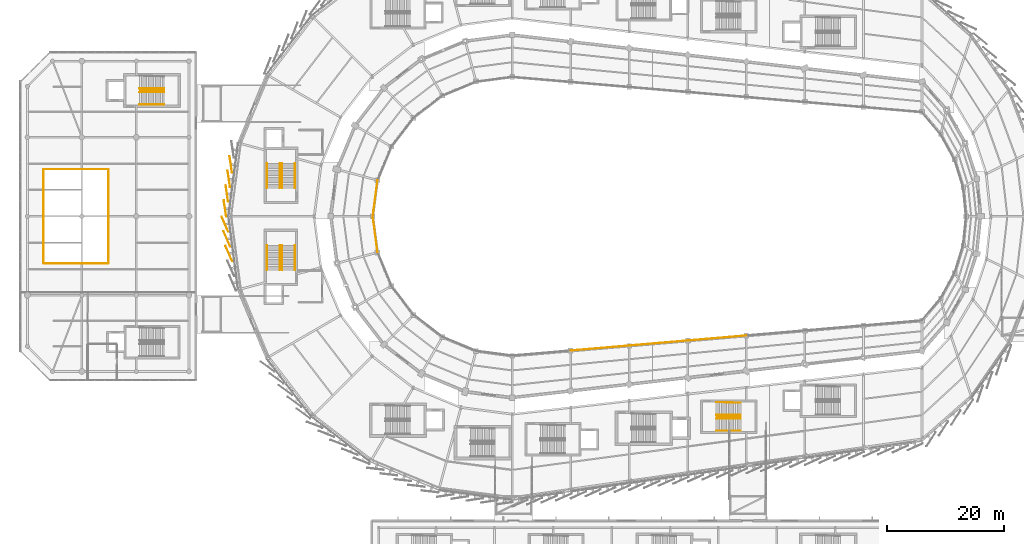
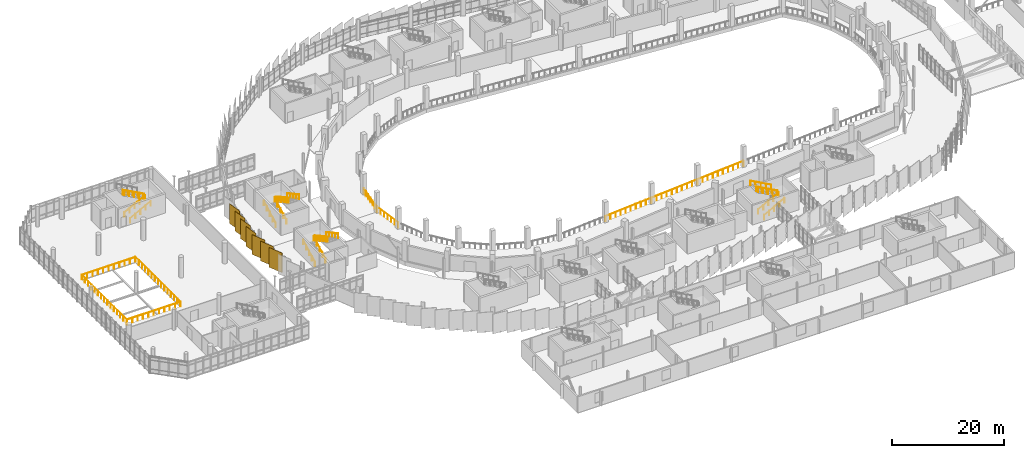
# One storey, part 118 of 125: 28 railings, 7 coverings.
"""IFC4 building model written with IfcOpenShell, lengths in metres."""

from ifc_helpers import new_model, si_unit, direction, frame, origin, origin_2d, place, context, subcontext, project, spatial, rectangle, circle, extrude, material, layer, layer_set, type_object, element, save


model = new_model("IFC4")

# Units and contexts
model_context = context("Model", 3, precision=1e-05, world=origin(), true_north=direction((0.0, 1.0)))
body_context = subcontext(model_context, "Body", "Model", "MODEL_VIEW")
ifc_project = project(units=[si_unit("LENGTHUNIT", "METRE"), si_unit("AREAUNIT", "SQUARE_METRE"), si_unit("VOLUMEUNIT", "CUBIC_METRE"), si_unit("PLANEANGLEUNIT", "RADIAN"), si_unit("MASSUNIT", "GRAM", prefix="KILO")], contexts=[model_context])

# Site, building, storey
site_placement = place(None, origin())
site = spatial("IfcSite", under=ifc_project, at=site_placement, CompositionType="ELEMENT")
building_placement = place(site_placement, origin())
building = spatial("IfcBuilding", under=site, at=building_placement, Name="Sohan Crest Arena", CompositionType="ELEMENT")
storey_placement = place(building_placement, frame((0.0, 0.0, 9.0)))
storey = spatial("IfcBuildingStorey", under=building, at=storey_placement, Name="L02", CompositionType="ELEMENT", Elevation=9.0)

# Railings
ifc_material_1 = material(Name="Powder-coated wrought steel balustrade", Category="steel")
railing_type_1 = type_object("IfcRailingType", Name="ARC-GRD-01", PredefinedType="GUARDRAIL", material=ifc_material_1)
for number, where, name in (
    (1, (58.5, 73.030029296875, 2.25), "Stair well slot guard GRD-004"),
    (2, (58.5, 87.030029296875, 2.25), "Stair well slot guard GRD-011"),
):
    element("IfcRailing", number, at=place(storey_placement, frame(where)), inside=storey, type_object=railing_type_1, Name=name, PredefinedType="GUARDRAIL", context=body_context, shape_type="SweptSolid", body=[
        extrude(circle(Radius=0.02392578125, at=origin_2d()), frame((0.0, 0.0, 1.076171875), z_axis=(0.0, -0.87313487534, 0.487478706678), x_axis=(1.0, 0.0, 0.0)), (0.0, 0.0, 1.0), 4.615478515625),
        extrude(circle(Radius=0.02099609375, at=origin_2d()), origin(), (0.0, 0.0, 1.0), 1.052001953125),
        extrude(circle(Radius=0.02099609375, at=origin_2d()), frame((0.0, -1.007568359375, 0.5625)), (0.0, 0.0, 1.0), 1.052001953125),
        extrude(circle(Radius=0.02099609375, at=origin_2d()), frame((0.0, -2.01513671875, 1.125)), (0.0, 0.0, 1.0), 1.052001953125),
        extrude(circle(Radius=0.02099609375, at=origin_2d()), frame((0.0, -3.0224609375, 1.6875)), (0.0, 0.0, 1.0), 1.052001953125),
        extrude(circle(Radius=0.02099609375, at=origin_2d()), frame((0.0, -4.030029296875, 2.25)), (0.0, 0.0, 1.0), 1.052001953125),
    ])
for number, where, name in (
    (3, (38.530029296875, 99.5, 2.25), "Stair well slot guard GRD-077"),
    (4, (137.030029296875, 43.75, 2.25), "Stair well slot guard GRD-114"),
):
    element("IfcRailing", number, at=place(storey_placement, frame(where)), inside=storey, type_object=railing_type_1, Name=name, PredefinedType="GUARDRAIL", context=body_context, shape_type="SweptSolid", body=[
        extrude(circle(Radius=0.02392578125, at=origin_2d()), frame((0.0, 0.0, 1.076171875), z_axis=(-0.87313487534, 0.0, 0.487478706678), x_axis=(0.0, -1.0, 0.0)), (0.0, 0.0, 1.0), 4.615478515625),
        extrude(circle(Radius=0.02099609375, at=origin_2d()), origin(), (0.0, 0.0, 1.0), 1.052001953125),
        extrude(circle(Radius=0.02099609375, at=origin_2d()), frame((-1.007568359375, 0.0, 0.5625)), (0.0, 0.0, 1.0), 1.052001953125),
        extrude(circle(Radius=0.02099609375, at=origin_2d()), frame((-2.01513671875, 0.0, 1.125)), (0.0, 0.0, 1.0), 1.052001953125),
        extrude(circle(Radius=0.02099609375, at=origin_2d()), frame((-3.0224609375, 0.0, 1.6875)), (0.0, 0.0, 1.0), 1.052001953125),
        extrude(circle(Radius=0.02099609375, at=origin_2d()), frame((-4.030029296875, 0.0, 2.25)), (0.0, 0.0, 1.0), 1.052001953125),
    ])
railing_1_placement = place(storey_placement, frame((17.989990234375, 69.949951171875, 0.0)))
element("IfcRailing", 5, at=railing_1_placement, inside=storey, type_object=railing_type_1, Name="Foyer atrium balustrade GRD-290", PredefinedType="GUARDRAIL", context=body_context, shape_type="SweptSolid", body=[
    extrude(circle(Radius=0.02392578125, at=origin_2d()), frame((0.0, 0.0, 1.076171875), z_axis=(1.0, 0.0, 0.0), x_axis=(0.0, 1.0, 0.0)), (0.0, 0.0, 1.0), 11.02001953125),
    extrude(circle(Radius=0.02099609375, at=origin_2d()), origin(), (0.0, 0.0, 1.0), 1.052001953125),
    extrude(circle(Radius=0.02099609375, at=origin_2d()), frame((1.10205078125, 0.0, 0.0)), (0.0, 0.0, 1.0), 1.052001953125),
    extrude(circle(Radius=0.02099609375, at=origin_2d()), frame((2.2041015625, 0.0, 0.0)), (0.0, 0.0, 1.0), 1.052001953125),
    extrude(circle(Radius=0.02099609375, at=origin_2d()), frame((3.305908203125, 0.0, 0.0)), (0.0, 0.0, 1.0), 1.052001953125),
    extrude(circle(Radius=0.02099609375, at=origin_2d()), frame((4.407958984375, 0.0, 0.0)), (0.0, 0.0, 1.0), 1.052001953125),
    extrude(circle(Radius=0.02099609375, at=origin_2d()), frame((5.510009765625, 0.0, 0.0)), (0.0, 0.0, 1.0), 1.052001953125),
    extrude(circle(Radius=0.02099609375, at=origin_2d()), frame((6.612060546875, 0.0, 0.0)), (0.0, 0.0, 1.0), 1.052001953125),
    extrude(circle(Radius=0.02099609375, at=origin_2d()), frame((7.714111328125, 0.0, 0.0)), (0.0, 0.0, 1.0), 1.052001953125),
    extrude(circle(Radius=0.02099609375, at=origin_2d()), frame((8.81591796875, 0.0, 0.0)), (0.0, 0.0, 1.0), 1.052001953125),
    extrude(circle(Radius=0.02099609375, at=origin_2d()), frame((9.91796875, 0.0, 0.0)), (0.0, 0.0, 1.0), 1.052001953125),
    extrude(circle(Radius=0.02099609375, at=origin_2d()), frame((11.02001953125, 0.0, 0.0)), (0.0, 0.0, 1.0), 1.052001953125),
])
railing_2_placement = place(storey_placement, frame((29.050048828125, 69.989990234375, 0.0)))
element("IfcRailing", 6, at=railing_2_placement, inside=storey, type_object=railing_type_1, Name="Foyer atrium balustrade GRD-291", PredefinedType="GUARDRAIL", context=body_context, shape_type="SweptSolid", body=[
    extrude(circle(Radius=0.02392578125, at=origin_2d()), frame((0.0, 0.0, 1.076171875), z_axis=(0.0, 1.0, 0.0), x_axis=(-1.0, 0.0, 0.0)), (0.0, 0.0, 1.0), 16.02001953125),
    extrude(circle(Radius=0.02099609375, at=origin_2d()), origin(), (0.0, 0.0, 1.0), 1.052001953125),
    extrude(circle(Radius=0.02099609375, at=origin_2d()), frame((0.0, 1.144287109375, 0.0)), (0.0, 0.0, 1.0), 1.052001953125),
    extrude(circle(Radius=0.02099609375, at=origin_2d()), frame((0.0, 2.28857421875, 0.0)), (0.0, 0.0, 1.0), 1.052001953125),
    extrude(circle(Radius=0.02099609375, at=origin_2d()), frame((0.0, 3.432861328125, 0.0)), (0.0, 0.0, 1.0), 1.052001953125),
    extrude(circle(Radius=0.02099609375, at=origin_2d()), frame((0.0, 4.5771484375, 0.0)), (0.0, 0.0, 1.0), 1.052001953125),
    extrude(circle(Radius=0.02099609375, at=origin_2d()), frame((0.0, 5.721435546875, 0.0)), (0.0, 0.0, 1.0), 1.052001953125),
    extrude(circle(Radius=0.02099609375, at=origin_2d()), frame((0.0, 6.86572265625, 0.0)), (0.0, 0.0, 1.0), 1.052001953125),
    extrude(circle(Radius=0.02099609375, at=origin_2d()), frame((0.0, 8.010009765625, 0.0)), (0.0, 0.0, 1.0), 1.052001953125),
    extrude(circle(Radius=0.02099609375, at=origin_2d()), frame((0.0, 9.154296875, 0.0)), (0.0, 0.0, 1.0), 1.052001953125),
    extrude(circle(Radius=0.02099609375, at=origin_2d()), frame((0.0, 10.298583984375, 0.0)), (0.0, 0.0, 1.0), 1.052001953125),
    extrude(circle(Radius=0.02099609375, at=origin_2d()), frame((0.0, 11.44287109375, 0.0)), (0.0, 0.0, 1.0), 1.052001953125),
    extrude(circle(Radius=0.02099609375, at=origin_2d()), frame((0.0, 12.587158203125, 0.0)), (0.0, 0.0, 1.0), 1.052001953125),
    extrude(circle(Radius=0.02099609375, at=origin_2d()), frame((0.0, 13.7314453125, 0.0)), (0.0, 0.0, 1.0), 1.052001953125),
    extrude(circle(Radius=0.02099609375, at=origin_2d()), frame((0.0, 14.875732421875, 0.0)), (0.0, 0.0, 1.0), 1.052001953125),
    extrude(circle(Radius=0.02099609375, at=origin_2d()), frame((0.0, 16.02001953125, 0.0)), (0.0, 0.0, 1.0), 1.052001953125),
])
railing_3_placement = place(storey_placement, frame((29.010009765625, 86.050048828125, 0.0)))
element("IfcRailing", 7, at=railing_3_placement, inside=storey, type_object=railing_type_1, Name="Foyer atrium balustrade GRD-292", PredefinedType="GUARDRAIL", context=body_context, shape_type="SweptSolid", body=[
    extrude(circle(Radius=0.02392578125, at=origin_2d()), frame((0.0, 0.0, 1.076171875), z_axis=(-1.0, 0.0, 0.0), x_axis=(0.0, -1.0, 0.0)), (0.0, 0.0, 1.0), 11.02001953125),
    extrude(circle(Radius=0.02099609375, at=origin_2d()), origin(), (0.0, 0.0, 1.0), 1.052001953125),
    extrude(circle(Radius=0.02099609375, at=origin_2d()), frame((-1.10205078125, 0.0, 0.0)), (0.0, 0.0, 1.0), 1.052001953125),
    extrude(circle(Radius=0.02099609375, at=origin_2d()), frame((-2.2041015625, 0.0, 0.0)), (0.0, 0.0, 1.0), 1.052001953125),
    extrude(circle(Radius=0.02099609375, at=origin_2d()), frame((-3.305908203125, 0.0, 0.0)), (0.0, 0.0, 1.0), 1.052001953125),
    extrude(circle(Radius=0.02099609375, at=origin_2d()), frame((-4.407958984375, 0.0, 0.0)), (0.0, 0.0, 1.0), 1.052001953125),
    extrude(circle(Radius=0.02099609375, at=origin_2d()), frame((-5.510009765625, 0.0, 0.0)), (0.0, 0.0, 1.0), 1.052001953125),
    extrude(circle(Radius=0.02099609375, at=origin_2d()), frame((-6.612060546875, 0.0, 0.0)), (0.0, 0.0, 1.0), 1.052001953125),
    extrude(circle(Radius=0.02099609375, at=origin_2d()), frame((-7.714111328125, 0.0, 0.0)), (0.0, 0.0, 1.0), 1.052001953125),
    extrude(circle(Radius=0.02099609375, at=origin_2d()), frame((-8.81591796875, 0.0, 0.0)), (0.0, 0.0, 1.0), 1.052001953125),
    extrude(circle(Radius=0.02099609375, at=origin_2d()), frame((-9.91796875, 0.0, 0.0)), (0.0, 0.0, 1.0), 1.052001953125),
    extrude(circle(Radius=0.02099609375, at=origin_2d()), frame((-11.02001953125, 0.0, 0.0)), (0.0, 0.0, 1.0), 1.052001953125),
])
railing_4_placement = place(storey_placement, frame((17.949951171875, 86.010009765625, 0.0)))
element("IfcRailing", 8, at=railing_4_placement, inside=storey, type_object=railing_type_1, Name="Foyer atrium balustrade GRD-293", PredefinedType="GUARDRAIL", context=body_context, shape_type="SweptSolid", body=[
    extrude(circle(Radius=0.02392578125, at=origin_2d()), frame((0.0, 0.0, 1.076171875), z_axis=(0.0, -1.0, 0.0), x_axis=(1.0, 0.0, 0.0)), (0.0, 0.0, 1.0), 16.02001953125),
    extrude(circle(Radius=0.02099609375, at=origin_2d()), origin(), (0.0, 0.0, 1.0), 1.052001953125),
    extrude(circle(Radius=0.02099609375, at=origin_2d()), frame((0.0, -1.144287109375, 0.0)), (0.0, 0.0, 1.0), 1.052001953125),
    extrude(circle(Radius=0.02099609375, at=origin_2d()), frame((0.0, -2.28857421875, 0.0)), (0.0, 0.0, 1.0), 1.052001953125),
    extrude(circle(Radius=0.02099609375, at=origin_2d()), frame((0.0, -3.432861328125, 0.0)), (0.0, 0.0, 1.0), 1.052001953125),
    extrude(circle(Radius=0.02099609375, at=origin_2d()), frame((0.0, -4.5771484375, 0.0)), (0.0, 0.0, 1.0), 1.052001953125),
    extrude(circle(Radius=0.02099609375, at=origin_2d()), frame((0.0, -5.721435546875, 0.0)), (0.0, 0.0, 1.0), 1.052001953125),
    extrude(circle(Radius=0.02099609375, at=origin_2d()), frame((0.0, -6.86572265625, 0.0)), (0.0, 0.0, 1.0), 1.052001953125),
    extrude(circle(Radius=0.02099609375, at=origin_2d()), frame((0.0, -8.010009765625, 0.0)), (0.0, 0.0, 1.0), 1.052001953125),
    extrude(circle(Radius=0.02099609375, at=origin_2d()), frame((0.0, -9.154296875, 0.0)), (0.0, 0.0, 1.0), 1.052001953125),
    extrude(circle(Radius=0.02099609375, at=origin_2d()), frame((0.0, -10.298583984375, 0.0)), (0.0, 0.0, 1.0), 1.052001953125),
    extrude(circle(Radius=0.02099609375, at=origin_2d()), frame((0.0, -11.44287109375, 0.0)), (0.0, 0.0, 1.0), 1.052001953125),
    extrude(circle(Radius=0.02099609375, at=origin_2d()), frame((0.0, -12.587158203125, 0.0)), (0.0, 0.0, 1.0), 1.052001953125),
    extrude(circle(Radius=0.02099609375, at=origin_2d()), frame((0.0, -13.7314453125, 0.0)), (0.0, 0.0, 1.0), 1.052001953125),
    extrude(circle(Radius=0.02099609375, at=origin_2d()), frame((0.0, -14.875732421875, 0.0)), (0.0, 0.0, 1.0), 1.052001953125),
    extrude(circle(Radius=0.02099609375, at=origin_2d()), frame((0.0, -16.02001953125, 0.0)), (0.0, 0.0, 1.0), 1.052001953125),
])
ifc_material_2 = material(Name="Laminated glass and steel sightline guard", Category="steel")
railing_type_2 = type_object("IfcRailingType", Name="ARC-GRD-02", PredefinedType="GUARDRAIL", material=ifc_material_2)
railing_5_placement = place(storey_placement, frame((75.006103515625, 84.1201171875, 0.0)))
element("IfcRailing", 9, at=railing_5_placement, inside=storey, type_object=railing_type_2, Name="Bowl gallery edge guard GRD-223", PredefinedType="GUARDRAIL", context=body_context, shape_type="SweptSolid", body=[
    extrude(circle(Radius=0.02392578125, at=origin_2d()), frame((0.0, 0.0, 1.1259765625), z_axis=(-0.130617220384, -0.991432873037, 0.0), x_axis=(0.991432873037, -0.130617220384, 0.0)), (0.0, 0.0, 1.0), 6.132568359375),
    extrude(circle(Radius=0.02099609375, at=origin_2d()), origin(), (0.0, 0.0, 1.0), 1.101806640625),
    extrude(circle(Radius=0.02099609375, at=origin_2d()), frame((-0.133544921875, -1.013427734375, 0.0)), (0.0, 0.0, 1.0), 1.101806640625),
    extrude(circle(Radius=0.02099609375, at=origin_2d()), frame((-0.26708984375, -2.026611328125, 0.0)), (0.0, 0.0, 1.0), 1.101806640625),
    extrude(circle(Radius=0.02099609375, at=origin_2d()), frame((-0.400390625, -3.0400390625, 0.0)), (0.0, 0.0, 1.0), 1.101806640625),
    extrude(circle(Radius=0.02099609375, at=origin_2d()), frame((-0.533935546875, -4.053466796875, 0.0)), (0.0, 0.0, 1.0), 1.101806640625),
    extrude(circle(Radius=0.02099609375, at=origin_2d()), frame((-0.66748046875, -5.066650390625, 0.0)), (0.0, 0.0, 1.0), 1.101806640625),
    extrude(circle(Radius=0.02099609375, at=origin_2d()), frame((-0.801025390625, -6.080078125, 0.0)), (0.0, 0.0, 1.0), 1.101806640625),
])
railing_6_placement = place(storey_placement, frame((74.205078125, 77.9599609375, 0.0)))
element("IfcRailing", 10, at=railing_6_placement, inside=storey, type_object=railing_type_2, Name="Bowl gallery edge guard GRD-224", PredefinedType="GUARDRAIL", context=body_context, shape_type="SweptSolid", body=[
    extrude(circle(Radius=0.02392578125, at=origin_2d()), frame((0.0, 0.0, 1.1259765625), z_axis=(0.130617220384, -0.991432873037, 0.0), x_axis=(0.991432873037, 0.130617220384, 0.0)), (0.0, 0.0, 1.0), 6.132568359375),
    extrude(circle(Radius=0.02099609375, at=origin_2d()), origin(), (0.0, 0.0, 1.0), 1.101806640625),
    extrude(circle(Radius=0.02099609375, at=origin_2d()), frame((0.133544921875, -1.013427734375, 0.0)), (0.0, 0.0, 1.0), 1.101806640625),
    extrude(circle(Radius=0.02099609375, at=origin_2d()), frame((0.26708984375, -2.026611328125, 0.0)), (0.0, 0.0, 1.0), 1.101806640625),
    extrude(circle(Radius=0.02099609375, at=origin_2d()), frame((0.400390625, -3.0400390625, 0.0)), (0.0, 0.0, 1.0), 1.101806640625),
    extrude(circle(Radius=0.02099609375, at=origin_2d()), frame((0.533935546875, -4.053466796875, 0.0)), (0.0, 0.0, 1.0), 1.101806640625),
    extrude(circle(Radius=0.02099609375, at=origin_2d()), frame((0.66748046875, -5.066650390625, 0.0)), (0.0, 0.0, 1.0), 1.101806640625),
    extrude(circle(Radius=0.02099609375, at=origin_2d()), frame((0.801025390625, -6.080078125, 0.0)), (0.0, 0.0, 1.0), 1.101806640625),
])
railing_7_placement = place(storey_placement, frame((108.0400390625, 55.06005859375, 0.0)))
element("IfcRailing", 11, at=railing_7_placement, inside=storey, type_object=railing_type_2, Name="Bowl gallery edge guard GRD-231", PredefinedType="GUARDRAIL", context=body_context, shape_type="SweptSolid", body=[
    extrude(circle(Radius=0.02392578125, at=origin_2d()), frame((0.0, 0.0, 1.1259765625), z_axis=(0.996341938042, 0.085456085206, 0.0), x_axis=(-0.085456085206, 0.996341938042, 0.0)), (0.0, 0.0, 1.0), 9.956298828125),
    extrude(circle(Radius=0.02099609375, at=origin_2d()), origin(), (0.0, 0.0, 1.0), 1.101806640625),
    extrude(circle(Radius=0.02099609375, at=origin_2d()), frame((1.102294921875, 0.094482421875, 0.0)), (0.0, 0.0, 1.0), 1.101806640625),
    extrude(circle(Radius=0.02099609375, at=origin_2d()), frame((2.204345703125, 0.18896484375, 0.0)), (0.0, 0.0, 1.0), 1.101806640625),
    extrude(circle(Radius=0.02099609375, at=origin_2d()), frame((3.306640625, 0.28369140625, 0.0)), (0.0, 0.0, 1.0), 1.101806640625),
    extrude(circle(Radius=0.02099609375, at=origin_2d()), frame((4.408935546875, 0.378173828125, 0.0)), (0.0, 0.0, 1.0), 1.101806640625),
    extrude(circle(Radius=0.02099609375, at=origin_2d()), frame((5.510986328125, 0.47265625, 0.0)), (0.0, 0.0, 1.0), 1.101806640625),
    extrude(circle(Radius=0.02099609375, at=origin_2d()), frame((6.61328125, 0.567138671875, 0.0)), (0.0, 0.0, 1.0), 1.101806640625),
    extrude(circle(Radius=0.02099609375, at=origin_2d()), frame((7.715576171875, 0.661865234375, 0.0)), (0.0, 0.0, 1.0), 1.101806640625),
    extrude(circle(Radius=0.02099609375, at=origin_2d()), frame((8.817626953125, 0.75634765625, 0.0)), (0.0, 0.0, 1.0), 1.101806640625),
    extrude(circle(Radius=0.02099609375, at=origin_2d()), frame((9.919921875, 0.850830078125, 0.0)), (0.0, 0.0, 1.0), 1.101806640625),
])
railing_8_placement = place(storey_placement, frame((118.0400390625, 55.9169921875, 0.0)))
element("IfcRailing", 12, at=railing_8_placement, inside=storey, type_object=railing_type_2, Name="Bowl gallery edge guard GRD-232", PredefinedType="GUARDRAIL", context=body_context, shape_type="SweptSolid", body=[
    extrude(circle(Radius=0.02392578125, at=origin_2d()), frame((0.0, 0.0, 1.1259765625), z_axis=(0.996339849936, 0.085480427173, 0.0), x_axis=(-0.085480427173, 0.996339849936, 0.0)), (0.0, 0.0, 1.0), 9.956298828125),
    extrude(circle(Radius=0.02099609375, at=origin_2d()), origin(), (0.0, 0.0, 1.0), 1.101806640625),
    extrude(circle(Radius=0.02099609375, at=origin_2d()), frame((1.102294921875, 0.094482421875, 0.0)), (0.0, 0.0, 1.0), 1.101806640625),
    extrude(circle(Radius=0.02099609375, at=origin_2d()), frame((2.204345703125, 0.189208984375, 0.0)), (0.0, 0.0, 1.0), 1.101806640625),
    extrude(circle(Radius=0.02099609375, at=origin_2d()), frame((3.306640625, 0.28369140625, 0.0)), (0.0, 0.0, 1.0), 1.101806640625),
    extrude(circle(Radius=0.02099609375, at=origin_2d()), frame((4.408935546875, 0.378173828125, 0.0)), (0.0, 0.0, 1.0), 1.101806640625),
    extrude(circle(Radius=0.02099609375, at=origin_2d()), frame((5.510986328125, 0.472900390625, 0.0)), (0.0, 0.0, 1.0), 1.101806640625),
    extrude(circle(Radius=0.02099609375, at=origin_2d()), frame((6.61328125, 0.5673828125, 0.0)), (0.0, 0.0, 1.0), 1.101806640625),
    extrude(circle(Radius=0.02099609375, at=origin_2d()), frame((7.715576171875, 0.661865234375, 0.0)), (0.0, 0.0, 1.0), 1.101806640625),
    extrude(circle(Radius=0.02099609375, at=origin_2d()), frame((8.817626953125, 0.756591796875, 0.0)), (0.0, 0.0, 1.0), 1.101806640625),
    extrude(circle(Radius=0.02099609375, at=origin_2d()), frame((9.919921875, 0.85107421875, 0.0)), (0.0, 0.0, 1.0), 1.101806640625),
])
railing_9_placement = place(storey_placement, frame((128.0400390625, 56.77392578125, 0.0)))
element("IfcRailing", 13, at=railing_9_placement, inside=storey, type_object=railing_type_2, Name="Bowl gallery edge guard GRD-233", PredefinedType="GUARDRAIL", context=body_context, shape_type="SweptSolid", body=[
    extrude(circle(Radius=0.02392578125, at=origin_2d()), frame((0.0, 0.0, 1.1259765625), z_axis=(0.996331491652, 0.085577793509, 0.0), x_axis=(-0.085577793509, 0.996331491652, 0.0)), (0.0, 0.0, 1.0), 9.95654296875),
    extrude(circle(Radius=0.02099609375, at=origin_2d()), origin(), (0.0, 0.0, 1.0), 1.101806640625),
    extrude(circle(Radius=0.02099609375, at=origin_2d()), frame((1.102294921875, 0.0947265625, 0.0)), (0.0, 0.0, 1.0), 1.101806640625),
    extrude(circle(Radius=0.02099609375, at=origin_2d()), frame((2.204345703125, 0.189453125, 0.0)), (0.0, 0.0, 1.0), 1.101806640625),
    extrude(circle(Radius=0.02099609375, at=origin_2d()), frame((3.306640625, 0.283935546875, 0.0)), (0.0, 0.0, 1.0), 1.101806640625),
    extrude(circle(Radius=0.02099609375, at=origin_2d()), frame((4.408935546875, 0.378662109375, 0.0)), (0.0, 0.0, 1.0), 1.101806640625),
    extrude(circle(Radius=0.02099609375, at=origin_2d()), frame((5.510986328125, 0.473388671875, 0.0)), (0.0, 0.0, 1.0), 1.101806640625),
    extrude(circle(Radius=0.02099609375, at=origin_2d()), frame((6.61328125, 0.568115234375, 0.0)), (0.0, 0.0, 1.0), 1.101806640625),
    extrude(circle(Radius=0.02099609375, at=origin_2d()), frame((7.715576171875, 0.66259765625, 0.0)), (0.0, 0.0, 1.0), 1.101806640625),
    extrude(circle(Radius=0.02099609375, at=origin_2d()), frame((8.817626953125, 0.75732421875, 0.0)), (0.0, 0.0, 1.0), 1.101806640625),
    extrude(circle(Radius=0.02099609375, at=origin_2d()), frame((9.919921875, 0.85205078125, 0.0)), (0.0, 0.0, 1.0), 1.101806640625),
])
ifc_material_3 = material(Name="Brushed stainless steel stair handrail", Category="steel")
railing_type_3 = type_object("IfcRailingType", Name="ARC-HR-01", PredefinedType="HANDRAIL", material=ifc_material_3)
for number, where, name in (
    (14, (56.110107421875, 68.85009765625, 0.0), "Stair pitch handrail HR-013"),
    (15, (58.2900390625, 68.85009765625, 0.0), "Stair pitch handrail HR-014"),
):
    element("IfcRailing", number, at=place(storey_placement, frame(where)), inside=storey, type_object=railing_type_3, Name=name, PredefinedType="HANDRAIL", context=body_context, shape_type="SweptSolid", body=[
        extrude(circle(Radius=0.02392578125, at=origin_2d()), frame((0.0, 0.0, 0.97607421875), z_axis=(0.0, 0.881477684796, 0.472225678258), x_axis=(-1.0, 0.0, 0.0)), (0.0, 0.0, 1.0), 4.7646484375),
        extrude(circle(Radius=0.02099609375, at=origin_2d()), origin(), (0.0, 0.0, 1.0), 0.951904296875),
        extrude(circle(Radius=0.02099609375, at=origin_2d()), frame((0.0, 1.050048828125, 0.5625)), (0.0, 0.0, 1.0), 0.951904296875),
        extrude(circle(Radius=0.02099609375, at=origin_2d()), frame((0.0, 2.10009765625, 1.125)), (0.0, 0.0, 1.0), 0.951904296875),
        extrude(circle(Radius=0.02099609375, at=origin_2d()), frame((0.0, 3.14990234375, 1.6875)), (0.0, 0.0, 1.0), 0.951904296875),
        extrude(circle(Radius=0.02099609375, at=origin_2d()), frame((0.0, 4.199951171875, 2.25)), (0.0, 0.0, 1.0), 0.951904296875),
    ])
for number, where, name in (
    (16, (58.7099609375, 73.050048828125, 2.25), "Stair pitch handrail HR-015"),
    (17, (60.889892578125, 73.050048828125, 2.25), "Stair pitch handrail HR-016"),
):
    element("IfcRailing", number, at=place(storey_placement, frame(where)), inside=storey, type_object=railing_type_3, Name=name, PredefinedType="HANDRAIL", context=body_context, shape_type="SweptSolid", body=[
        extrude(circle(Radius=0.02392578125, at=origin_2d()), frame((0.0, 0.0, 0.97607421875), z_axis=(0.0, -0.881477684796, 0.472225678258), x_axis=(1.0, 0.0, 0.0)), (0.0, 0.0, 1.0), 4.7646484375),
        extrude(circle(Radius=0.02099609375, at=origin_2d()), origin(), (0.0, 0.0, 1.0), 0.951904296875),
        extrude(circle(Radius=0.02099609375, at=origin_2d()), frame((0.0, -1.050048828125, 0.5625)), (0.0, 0.0, 1.0), 0.951904296875),
        extrude(circle(Radius=0.02099609375, at=origin_2d()), frame((0.0, -2.10009765625, 1.125)), (0.0, 0.0, 1.0), 0.951904296875),
        extrude(circle(Radius=0.02099609375, at=origin_2d()), frame((0.0, -3.14990234375, 1.6875)), (0.0, 0.0, 1.0), 0.951904296875),
        extrude(circle(Radius=0.02099609375, at=origin_2d()), frame((0.0, -4.199951171875, 2.25)), (0.0, 0.0, 1.0), 0.951904296875),
    ])
for number, where, name in (
    (18, (56.110107421875, 82.85009765625, 0.0), "Stair pitch handrail HR-037"),
    (19, (58.2900390625, 82.85009765625, 0.0), "Stair pitch handrail HR-038"),
):
    element("IfcRailing", number, at=place(storey_placement, frame(where)), inside=storey, type_object=railing_type_3, Name=name, PredefinedType="HANDRAIL", context=body_context, shape_type="SweptSolid", body=[
        extrude(circle(Radius=0.02392578125, at=origin_2d()), frame((0.0, 0.0, 0.97607421875), z_axis=(0.0, 0.881477684796, 0.472225678258), x_axis=(-1.0, 0.0, 0.0)), (0.0, 0.0, 1.0), 4.7646484375),
        extrude(circle(Radius=0.02099609375, at=origin_2d()), origin(), (0.0, 0.0, 1.0), 0.951904296875),
        extrude(circle(Radius=0.02099609375, at=origin_2d()), frame((0.0, 1.050048828125, 0.5625)), (0.0, 0.0, 1.0), 0.951904296875),
        extrude(circle(Radius=0.02099609375, at=origin_2d()), frame((0.0, 2.10009765625, 1.125)), (0.0, 0.0, 1.0), 0.951904296875),
        extrude(circle(Radius=0.02099609375, at=origin_2d()), frame((0.0, 3.14990234375, 1.6875)), (0.0, 0.0, 1.0), 0.951904296875),
        extrude(circle(Radius=0.02099609375, at=origin_2d()), frame((0.0, 4.199951171875, 2.25)), (0.0, 0.0, 1.0), 0.951904296875),
    ])
for number, where, name in (
    (20, (58.7099609375, 87.050048828125, 2.25), "Stair pitch handrail HR-039"),
    (21, (60.889892578125, 87.050048828125, 2.25), "Stair pitch handrail HR-040"),
):
    element("IfcRailing", number, at=place(storey_placement, frame(where)), inside=storey, type_object=railing_type_3, Name=name, PredefinedType="HANDRAIL", context=body_context, shape_type="SweptSolid", body=[
        extrude(circle(Radius=0.02392578125, at=origin_2d()), frame((0.0, 0.0, 0.97607421875), z_axis=(0.0, -0.881477684796, 0.472225678258), x_axis=(1.0, 0.0, 0.0)), (0.0, 0.0, 1.0), 4.7646484375),
        extrude(circle(Radius=0.02099609375, at=origin_2d()), origin(), (0.0, 0.0, 1.0), 0.951904296875),
        extrude(circle(Radius=0.02099609375, at=origin_2d()), frame((0.0, -1.050048828125, 0.5625)), (0.0, 0.0, 1.0), 0.951904296875),
        extrude(circle(Radius=0.02099609375, at=origin_2d()), frame((0.0, -2.10009765625, 1.125)), (0.0, 0.0, 1.0), 0.951904296875),
        extrude(circle(Radius=0.02099609375, at=origin_2d()), frame((0.0, -3.14990234375, 1.6875)), (0.0, 0.0, 1.0), 0.951904296875),
        extrude(circle(Radius=0.02099609375, at=origin_2d()), frame((0.0, -4.199951171875, 2.25)), (0.0, 0.0, 1.0), 0.951904296875),
    ])
for number, where, name in (
    (22, (34.35009765625, 97.110107421875, 0.0), "Stair pitch handrail HR-253"),
    (23, (34.35009765625, 99.18994140625, 0.0), "Stair pitch handrail HR-254"),
):
    element("IfcRailing", number, at=place(storey_placement, frame(where)), inside=storey, type_object=railing_type_3, Name=name, PredefinedType="HANDRAIL", context=body_context, shape_type="SweptSolid", body=[
        extrude(circle(Radius=0.02392578125, at=origin_2d()), frame((0.0, 0.0, 0.97607421875), z_axis=(0.881477684796, 0.0, 0.472225678258), x_axis=(0.0, 1.0, 0.0)), (0.0, 0.0, 1.0), 4.7646484375),
        extrude(circle(Radius=0.02099609375, at=origin_2d()), origin(), (0.0, 0.0, 1.0), 0.951904296875),
        extrude(circle(Radius=0.02099609375, at=origin_2d()), frame((1.050048828125, 0.0, 0.5625)), (0.0, 0.0, 1.0), 0.951904296875),
        extrude(circle(Radius=0.02099609375, at=origin_2d()), frame((2.10009765625, 0.0, 1.125)), (0.0, 0.0, 1.0), 0.951904296875),
        extrude(circle(Radius=0.02099609375, at=origin_2d()), frame((3.14990234375, 0.0, 1.6875)), (0.0, 0.0, 1.0), 0.951904296875),
        extrude(circle(Radius=0.02099609375, at=origin_2d()), frame((4.199951171875, 0.0, 2.25)), (0.0, 0.0, 1.0), 0.951904296875),
    ])
railing_10_placement = place(storey_placement, frame((38.550048828125, 99.81005859375, 2.25)))
element("IfcRailing", 24, at=railing_10_placement, inside=storey, type_object=railing_type_3, Name="Stair pitch handrail HR-255", PredefinedType="HANDRAIL", context=body_context, shape_type="SweptSolid", body=[
    extrude(circle(Radius=0.02392578125, at=origin_2d()), frame((0.0, 0.0, 0.97607421875), z_axis=(-0.881477684796, 0.0, 0.472225678258), x_axis=(0.0, -1.0, 0.0)), (0.0, 0.0, 1.0), 4.7646484375),
    extrude(circle(Radius=0.02099609375, at=origin_2d()), origin(), (0.0, 0.0, 1.0), 0.951904296875),
    extrude(circle(Radius=0.02099609375, at=origin_2d()), frame((-1.050048828125, 0.0, 0.5625)), (0.0, 0.0, 1.0), 0.951904296875),
    extrude(circle(Radius=0.02099609375, at=origin_2d()), frame((-2.10009765625, 0.0, 1.125)), (0.0, 0.0, 1.0), 0.951904296875),
    extrude(circle(Radius=0.02099609375, at=origin_2d()), frame((-3.14990234375, 0.0, 1.6875)), (0.0, 0.0, 1.0), 0.951904296875),
    extrude(circle(Radius=0.02099609375, at=origin_2d()), frame((-4.199951171875, 0.0, 2.25)), (0.0, 0.0, 1.0), 0.951904296875),
])
for number, where, name in (
    (25, (132.85009765625, 41.360107421875, 0.0), "Stair pitch handrail HR-373"),
    (26, (132.85009765625, 43.43994140625, 0.0), "Stair pitch handrail HR-374"),
):
    element("IfcRailing", number, at=place(storey_placement, frame(where)), inside=storey, type_object=railing_type_3, Name=name, PredefinedType="HANDRAIL", context=body_context, shape_type="SweptSolid", body=[
        extrude(circle(Radius=0.02392578125, at=origin_2d()), frame((0.0, 0.0, 0.97607421875), z_axis=(0.881477684796, 0.0, 0.472225678258), x_axis=(0.0, 1.0, 0.0)), (0.0, 0.0, 1.0), 4.7646484375),
        extrude(circle(Radius=0.02099609375, at=origin_2d()), origin(), (0.0, 0.0, 1.0), 0.951904296875),
        extrude(circle(Radius=0.02099609375, at=origin_2d()), frame((1.050048828125, 0.0, 0.5625)), (0.0, 0.0, 1.0), 0.951904296875),
        extrude(circle(Radius=0.02099609375, at=origin_2d()), frame((2.10009765625, 0.0, 1.125)), (0.0, 0.0, 1.0), 0.951904296875),
        extrude(circle(Radius=0.02099609375, at=origin_2d()), frame((3.14990234375, 0.0, 1.6875)), (0.0, 0.0, 1.0), 0.951904296875),
        extrude(circle(Radius=0.02099609375, at=origin_2d()), frame((4.199951171875, 0.0, 2.25)), (0.0, 0.0, 1.0), 0.951904296875),
    ])
railing_11_placement = place(storey_placement, frame((137.050048828125, 44.06005859375, 2.25)))
element("IfcRailing", 27, at=railing_11_placement, inside=storey, type_object=railing_type_3, Name="Stair pitch handrail HR-375", PredefinedType="HANDRAIL", context=body_context, shape_type="SweptSolid", body=[
    extrude(circle(Radius=0.02392578125, at=origin_2d()), frame((0.0, 0.0, 0.97607421875), z_axis=(-0.881477684796, 0.0, 0.472225678258), x_axis=(0.0, -1.0, 0.0)), (0.0, 0.0, 1.0), 4.7646484375),
    extrude(circle(Radius=0.02099609375, at=origin_2d()), origin(), (0.0, 0.0, 1.0), 0.951904296875),
    extrude(circle(Radius=0.02099609375, at=origin_2d()), frame((-1.050048828125, 0.0, 0.5625)), (0.0, 0.0, 1.0), 0.951904296875),
    extrude(circle(Radius=0.02099609375, at=origin_2d()), frame((-2.10009765625, 0.0, 1.125)), (0.0, 0.0, 1.0), 0.951904296875),
    extrude(circle(Radius=0.02099609375, at=origin_2d()), frame((-3.14990234375, 0.0, 1.6875)), (0.0, 0.0, 1.0), 0.951904296875),
    extrude(circle(Radius=0.02099609375, at=origin_2d()), frame((-4.199951171875, 0.0, 2.25)), (0.0, 0.0, 1.0), 0.951904296875),
])
railing_12_placement = place(storey_placement, frame((137.050048828125, 46.139892578125, 2.25)))
element("IfcRailing", 28, at=railing_12_placement, inside=storey, type_object=railing_type_3, Name="Stair pitch handrail HR-376", PredefinedType="HANDRAIL", context=body_context, shape_type="SweptSolid", body=[
    extrude(circle(Radius=0.02392578125, at=origin_2d()), frame((0.0, 0.0, 0.97607421875), z_axis=(-0.881197710057, 0.025201957411, 0.472075690047), x_axis=(-0.028587973606, -0.999591280357, 0.0)), (0.0, 0.0, 1.0), 4.76611328125),
    extrude(circle(Radius=0.02099609375, at=origin_2d()), origin(), (0.0, 0.0, 1.0), 0.951904296875),
    extrude(circle(Radius=0.02099609375, at=origin_2d()), frame((-1.050048828125, 0.030029296875, 0.5625)), (0.0, 0.0, 1.0), 0.951904296875),
    extrude(circle(Radius=0.02099609375, at=origin_2d()), frame((-2.10009765625, 0.06005859375, 1.125)), (0.0, 0.0, 1.0), 0.951904296875),
    extrude(circle(Radius=0.02099609375, at=origin_2d()), frame((-3.14990234375, 0.090087890625, 1.6875)), (0.0, 0.0, 1.0), 0.951904296875),
    extrude(circle(Radius=0.02099609375, at=origin_2d()), frame((-4.199951171875, 0.1201171875, 2.25)), (0.0, 0.0, 1.0), 0.951904296875),
])

# Coverings
ifc_material_4 = material(Name="Glazed ivory trencadis ceramic cladding", Category="masonry")
ifc_layer = layer(ifc_material_4, 0.06494140625, Name="Glazed ivory trencadis ceramic cladding")
ifc_layer_set = layer_set([ifc_layer], Name="Glazed ivory trencadis ceramic cladding")
covering_type = type_object("IfcCoveringType", Name="COV-SC-IV", PredefinedType="CLADDING", material=ifc_layer_set)
for number, where, z_axis, x_axis, name in (
    (29, (49.951904296875, 86.876953125, -0.2001953125), (0.0, 0.0, 1.0), (0.14780941113, -0.989015863362, 0.0), "Rotated trencadis ceramic scale panel SC-0152"),
    (30, (49.6220703125, 84.368896484375, -0.2001953125), (0.0, 0.0, 1.0), (0.14780941113, -0.989015863362, 0.0), "Rotated trencadis ceramic scale panel SC-0153"),
    (31, (49.2919921875, 81.861083984375, -0.2001953125), (0.0, 0.0, 1.0), (0.14780941113, -0.989015863362, 0.0), "Rotated trencadis ceramic scale panel SC-0154"),
    (32, (48.9619140625, 79.35302734375, -0.2001953125), (0.0, 0.0, 1.0), (0.14780941113, -0.989015863362, 0.0), "Rotated trencadis ceramic scale panel SC-0155"),
    (33, (48.9619140625, 76.64697265625, -0.2001953125), (0.0, 0.0, 1.0), (0.398749068925, -0.917060074385, 0.0), "Rotated trencadis ceramic scale panel SC-0156"),
    (34, (49.2919921875, 74.138916015625, -0.2001953125), (0.0, 0.0, 1.0), (0.398749068925, -0.917060074385, 0.0), "Rotated trencadis ceramic scale panel SC-0157"),
    (35, (49.6220703125, 71.631103515625, -0.2001953125), (0.0, 0.0, 1.0), (0.398749068925, -0.917060074385, 0.0), "Rotated trencadis ceramic scale panel SC-0158"),
):
    element("IfcCovering", number, at=place(storey_placement, frame(where, z_axis=z_axis, x_axis=x_axis)), inside=storey, type_object=covering_type, Name=name, PredefinedType="CLADDING", context=body_context, shape_type="SweptSolid", body=[
        extrude(rectangle(XDim=2.85009765625, YDim=0.06494140625, at=origin_2d()), origin(), (0.0, 0.0, 1.0), 4.300048828125),
    ])

save(model, "model.ifc")
